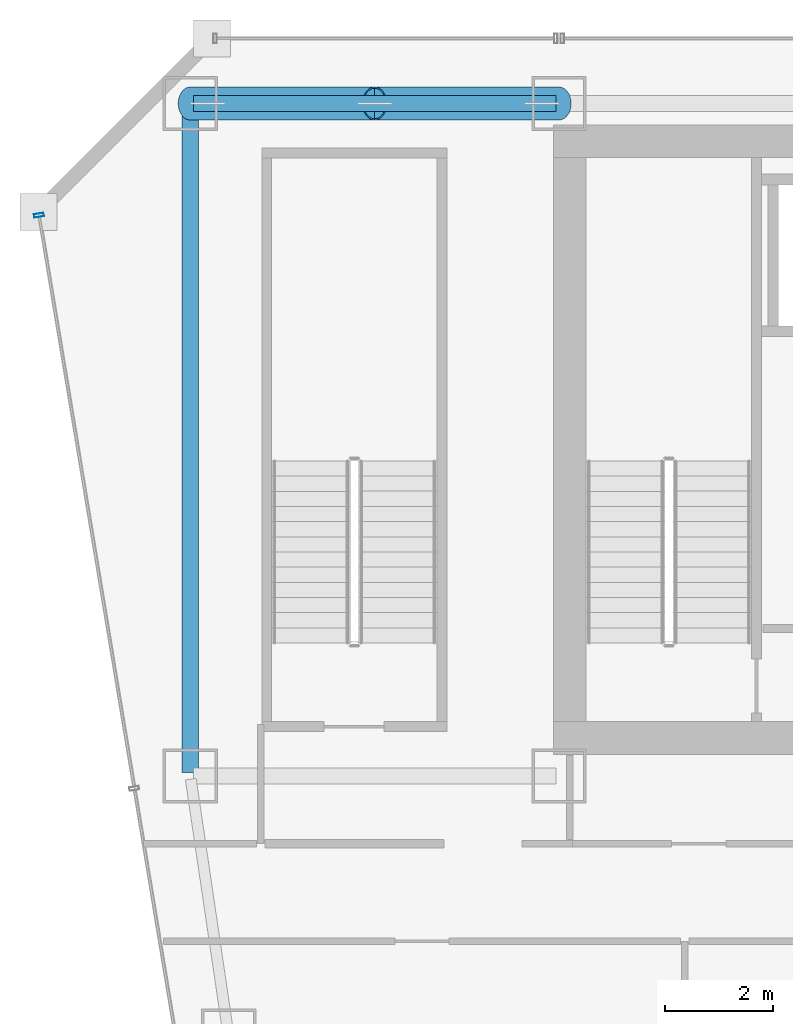
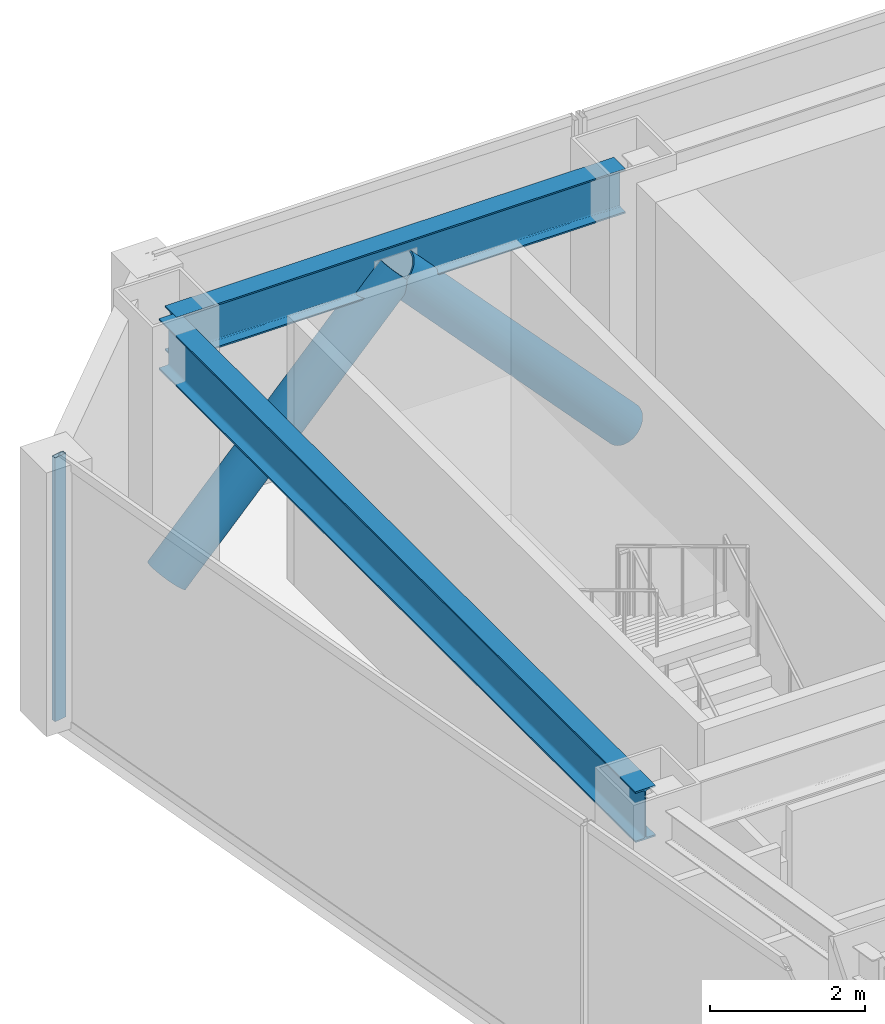
# One storey, part 21 of 37: 3 members, 2 beams, 1 element without a shape of its own.
"""IFC4 building model written with IfcOpenShell, lengths in metres."""

from ifc_helpers import new_model, si_unit, direction, frame, origin, origin_2d, place, context, subcontext, project, spatial, hollow_rectangle, hollow_circle, i_section, extrude, material, material_profile, profile_set, type_object, element, aggregate, save


model = new_model("IFC4")

# Units and contexts
model_context = context("Model", 3, precision=1e-05, world=origin(), true_north=direction((0.0, 1.0)))
body_context = subcontext(model_context, "Body", "Model", "MODEL_VIEW")
ifc_project = project(units=[si_unit("LENGTHUNIT", "METRE"), si_unit("AREAUNIT", "SQUARE_METRE"), si_unit("VOLUMEUNIT", "CUBIC_METRE"), si_unit("PLANEANGLEUNIT", "RADIAN"), si_unit("MASSUNIT", "GRAM", prefix="KILO")], contexts=[model_context])

# Site, building, storey
site_placement = place(None, origin())
site = spatial("IfcSite", under=ifc_project, at=site_placement, CompositionType="ELEMENT")
building_placement = place(site_placement, origin())
building = spatial("IfcBuilding", under=site, at=building_placement, Name="Saevonmaru Cultural Tower", CompositionType="ELEMENT")
storey_placement = place(building_placement, frame((0.0, 0.0, 106.0)))
storey = spatial("IfcBuildingStorey", under=building, at=storey_placement, Name="L22", CompositionType="ELEMENT", Elevation=106.0)

# Beams
ifc_material_1 = material(Name="Steel SM420", Category="steel")
ifc_material_profile_1 = material_profile(ifc_material_1, i_section(OverallWidth=0.300048828125, OverallDepth=0.800048828125, WebThickness=0.013916015625, FlangeThickness=0.02587890625, FilletRadius=0.028076171875, at=origin_2d()), Name="H-800x300x14x26")
ifc_profile_set_1 = profile_set([ifc_material_profile_1], Name="Steel SM420")
beam_type_1 = type_object("IfcBeamType", Name="BM-G-H800", PredefinedType="BEAM", material=ifc_profile_set_1)
beam_1_placement = place(storey_placement, frame((6.800048828125, 54.739990234375, 3.75), z_axis=(0.0, -1.0, 0.0), x_axis=(1.0, 0.0, 0.0)))
element("IfcBeam", 1, at=beam_1_placement, inside=storey, type_object=beam_type_1, Name="L22 Spine Transverse Girder W", PredefinedType="BEAM", context=body_context, shape_type="SweptSolid", body=[
    extrude(i_section(OverallWidth=0.300048828125, OverallDepth=0.800048828125, WebThickness=0.013916015625, FlangeThickness=0.02587890625, FilletRadius=0.028076171875, at=origin_2d()), origin(), (0.0, 0.0, 1.0), 12.280029296875),
])
ifc_material_2 = material(Name="Steel SM355", Category="steel")
ifc_material_profile_2 = material_profile(ifc_material_2, i_section(OverallWidth=0.300048828125, OverallDepth=0.699951171875, WebThickness=0.012939453125, FlangeThickness=0.02392578125, FilletRadius=0.02587890625, at=origin_2d()), Name="H-700x300x13x24")
ifc_profile_set_2 = profile_set([ifc_material_profile_2], Name="Steel SM355")
beam_type_2 = type_object("IfcBeamType", Name="BM-SP-H700", PredefinedType="SPANDREL", material=ifc_profile_set_2)
beam_2_placement = place(storey_placement, frame((6.860107421875, 54.800048828125, 3.800048828125), z_axis=(1.0, 0.0, 0.0), x_axis=(0.0, 1.0, 0.0)))
element("IfcBeam", 2, at=beam_2_placement, inside=storey, type_object=beam_type_2, Name="L22 North Spine Girder 1", PredefinedType="SPANDREL", context=body_context, shape_type="SweptSolid", body=[
    extrude(i_section(OverallWidth=0.300048828125, OverallDepth=0.699951171875, WebThickness=0.012939453125, FlangeThickness=0.02392578125, FilletRadius=0.02587890625, at=origin_2d()), origin(), (0.0, 0.0, 1.0), 6.679931640625),
])

# Members
ifc_material_3 = material(Name="Steel HSA600 (600 MPa)", Category="steel")
ifc_material_profile_3 = material_profile(ifc_material_3, hollow_circle(Radius=0.3046875, WallThickness=0.02490234375, at=origin_2d()), Name="CHS-609.6x25")
ifc_profile_set_3 = profile_set([ifc_material_profile_3], Name="Steel HSA600 (600 MPa)")
member_type_1 = type_object("IfcMemberType", Name="MB-PBR-CHS610", PredefinedType="BRACE", material=ifc_profile_set_3)
member_1_placement = place(storey_placement, frame((6.800048828125, 54.800048828125, 0.02001953125), z_axis=(0.681602937137, 0.0, 0.73172223971), x_axis=(0.0, 1.0, 0.0)))
element("IfcMember", 3, at=member_1_placement, inside=storey, type_object=member_type_1, Name="L22 Perimeter Braced-Tube Diagonal WN1", PredefinedType="BRACE", context=body_context, shape_type="SweptSolid", body=[
    extrude(hollow_circle(Radius=0.3046875, WallThickness=0.02490234375, at=origin_2d()), origin(), (0.0, 0.0, 1.0), 4.988037109375),
])
member_2_placement = place(storey_placement, frame((13.60009765625, 54.800048828125, 0.02001953125), z_axis=(-0.681629141635, 0.0, 0.731697829212), x_axis=(0.0, -1.0, 0.0)))
element("IfcMember", 4, at=member_2_placement, inside=storey, type_object=member_type_1, Name="L22 Perimeter Braced-Tube Diagonal WN2", PredefinedType="BRACE", context=body_context, shape_type="SweptSolid", body=[
    extrude(hollow_circle(Radius=0.3046875, WallThickness=0.02490234375, at=origin_2d()), origin(), (0.0, 0.0, 1.0), 4.98828125),
])

# Curtain wall, member
ifc_material_4 = material(Name="Satin Bronze Anodised Aluminium", Category="aluminium")
curtain_wall_type = type_object("IfcCurtainWallType", Name="CW-TYP-A", PredefinedType="NOTDEFINED", material=ifc_material_4)
curtain_wall_placement = place(storey_placement, origin())
curtain_wall = element("IfcCurtainWall", 5, at=curtain_wall_placement, inside=storey, type_object=curtain_wall_type, Name="L22 Unitised Curtain Wall E12", PredefinedType="NOTDEFINED")
ifc_material_profile_4 = material_profile(ifc_material_4, hollow_rectangle(XDim=0.06494140625, YDim=0.179931640625, WallThickness=0.00390625, at=origin_2d()), Name="ALU-MULL-180x65x4")
ifc_profile_set_4 = profile_set([ifc_material_profile_4], Name="Satin Bronze Anodised Aluminium")
member_type_2 = type_object("IfcMemberType", Name="ML-CW-180x65", PredefinedType="MULLION", material=ifc_profile_set_4)
member_3_placement = place(storey_placement, frame((4.009765625, 52.74072265625, 0.0), z_axis=(0.0, 0.0, 1.0), x_axis=(0.163998702345, -0.986460554523, 0.0)))
member_3 = element("IfcMember", 6, at=member_3_placement, type_object=member_type_2, Name="CW-TW-L22-E12 mullion 1", PredefinedType="MULLION", context=body_context, shape_type="SweptSolid", body=[
    extrude(hollow_rectangle(XDim=0.06494140625, YDim=0.179931640625, WallThickness=0.00390625, at=origin_2d()), origin(), (0.0, 0.0, 1.0), 4.14990234375),
])
aggregate(curtain_wall, [member_3])

save(model, "model.ifc")
